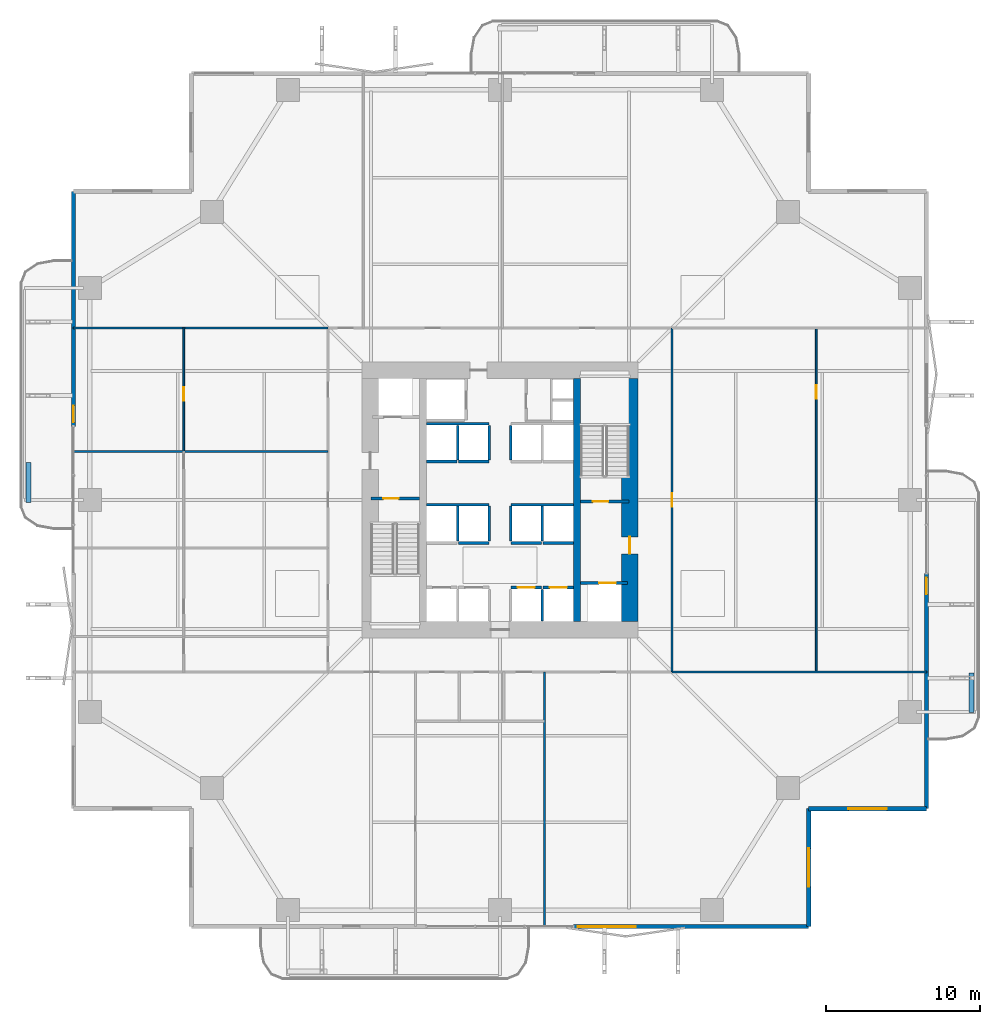
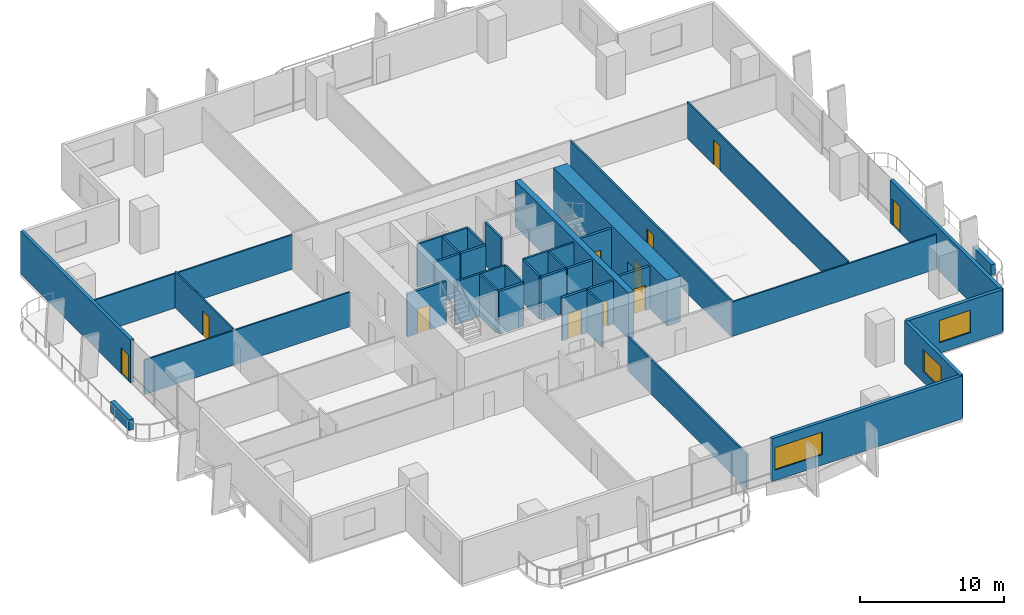
# One storey, part 18 of 23: 37 walls, 11 doors, 3 windows, 14 openings.
"""IFC4 building model written with IfcOpenShell, lengths in metres."""

from ifc_helpers import new_model, si_unit, direction, frame, frame_2d, origin, place, context, subcontext, project, spatial, rectangle, extrude, material, layer, layer_set, type_object, element, fill, save


model = new_model("IFC4")

# Units and contexts
model_context = context("Model", 3, precision=1e-05, world=origin(), true_north=direction((0.0, 1.0)))
body_context = subcontext(model_context, "Body", "Model", "MODEL_VIEW")
ifc_project = project(units=[si_unit("LENGTHUNIT", "METRE"), si_unit("AREAUNIT", "SQUARE_METRE"), si_unit("VOLUMEUNIT", "CUBIC_METRE"), si_unit("PLANEANGLEUNIT", "RADIAN"), si_unit("MASSUNIT", "GRAM", prefix="KILO")], contexts=[model_context])

# Site, building, storey
site_placement = place(None, origin())
site = spatial("IfcSite", under=ifc_project, at=site_placement, CompositionType="ELEMENT")
building_placement = place(site_placement, origin())
building = spatial("IfcBuilding", under=site, at=building_placement, Name="Belovzor Exchange Tower", CompositionType="ELEMENT")
storey_placement = place(building_placement, frame((0.0, 0.0, 53.39990234375)))
storey = spatial("IfcBuildingStorey", under=building, at=storey_placement, Name="L12", CompositionType="ELEMENT", Elevation=53.39990234375)

# Walls
ifc_material_1 = material(Name="Acoustic Plasterboard on Galvanised Studs", Category="gypsum")
ifc_layer_1 = layer(ifc_material_1, 0.1201171875)
ifc_layer_set_1 = layer_set([ifc_layer_1], Name="Acoustic Plasterboard on Galvanised Studs")
wall_type_1 = type_object("IfcWallType", Name="Acoustic Double-Stud Partition Wall 120", PredefinedType="PARTITIONING", material=ifc_layer_set_1)
for number, where, z_axis, x_axis, name in (
    (1, (40.0, 17.60009765625, 0.0), (0.0, 0.0, 1.0), (1.0, 0.0, 0.0), "W-P120 Partition Wall W-L12-END-SE"),
    (2, (1.030029296875, 40.0, 0.0), (0.0, 0.0, 1.0), (1.0, 0.0, 0.0), "W-P120 Partition Wall W-L12-END-NW"),
    (3, (1.030029296875, 31.9619140625, 0.0), (0.0, 0.0, 1.0), (1.0, 0.0, 0.0), "W-P120 Partition Wall W-L12-WDIV-3"),
):
    element("IfcWall", number, at=place(storey_placement, frame(where, z_axis=z_axis, x_axis=x_axis)), inside=storey, type_object=wall_type_1, Name=name, PredefinedType="PARTITIONING", context=body_context, shape_type="SweptSolid", body=[
        extrude(rectangle(XDim=16.570068359375, YDim=0.1201171875, at=frame_2d((8.28515625, 0.0))), origin(), (0.0, 0.0, 1.0), 2.93505859375),
    ])

# Wall, opening, door
wall_1_placement = place(storey_placement, frame((8.2119140625, 31.9619140625, 0.0), z_axis=(0.0, 0.0, 1.0), x_axis=(0.0, 1.0, 0.0)))
wall_1 = element("IfcWall", 4, at=wall_1_placement, inside=storey, type_object=wall_type_1, Name="W-P120 Partition Wall W-L12-WHDIV-3", PredefinedType="PARTITIONING", context=body_context, shape_type="SweptSolid", body=[
    extrude(rectangle(XDim=8.0380859375, YDim=0.1201171875, at=frame_2d((4.01904296875, 0.0))), origin(), (0.0, 0.0, 1.0), 3.085205078125),
])
opening_1_placement = place(wall_1_placement, frame((3.2880859375, 0.0, 0.0)))
opening_1 = element("IfcOpeningElement", 5, at=opening_1_placement, cuts=wall_1, Name="Opening D-INT-090", PredefinedType="OPENING", context=body_context, shape_type="SweptSolid", body=[
    extrude(rectangle(XDim=0.89990234375, YDim=2.10009765625, at=frame_2d((0.449951171875, 1.050048828125))), frame((0.0, 0.070068359375, 0.0), z_axis=(0.0, -1.0, 0.0), x_axis=(1.0, 0.0, 0.0)), (0.0, 0.0, 1.0), 0.14013671875),
])
ifc_material_2 = material(Name="Veneered Hardwood Acoustic Leaf", Category="wood")
door_type_1 = type_object("IfcDoorType", Name="Trading Suite Acoustic Single Door 900x2100", OperationType="NOTDEFINED", PredefinedType="DOOR", material=ifc_material_2)
door_1_placement = place(opening_1_placement, origin())
door_1 = element("IfcDoor", 6, at=door_1_placement, inside=storey, type_object=door_type_1, Name="D-INT-090 Trading Suite Acoustic Single Door 900x2100", OperationType="SINGLE_SWING_LEFT", OverallHeight=2.10009765625, OverallWidth=0.89990234375, PredefinedType="DOOR", context=body_context, shape_type="SweptSolid", body=[
    extrude(rectangle(XDim=0.89990234375, YDim=2.10009765625, at=frame_2d((0.449951171875, 1.050048828125))), frame((0.0, 0.02490234375, 0.0), z_axis=(0.0, -1.0, 0.0), x_axis=(1.0, 0.0, 0.0)), (0.0, 0.0, 1.0), 0.050048828125),
])
fill(opening_1, door_1)

wall_2_placement = place(storey_placement, frame((49.387939453125, 17.60009765625, 0.0), z_axis=(0.0, 0.0, 1.0), x_axis=(0.0, 1.0, 0.0)))
wall_2 = element("IfcWall", 7, at=wall_2_placement, inside=storey, type_object=wall_type_1, Name="W-P120 Partition Wall W-L12-EHDIV-0", PredefinedType="PARTITIONING", context=body_context, shape_type="SweptSolid", body=[
    extrude(rectangle(XDim=22.39990234375, YDim=0.1201171875, at=frame_2d((11.199951171875, 0.0))), origin(), (0.0, 0.0, 1.0), 3.085205078125),
])
opening_2_placement = place(wall_2_placement, frame((17.782958984375, 0.0, 0.0)))
opening_2 = element("IfcOpeningElement", 8, at=opening_2_placement, cuts=wall_2, Name="Opening D-INT-090", PredefinedType="OPENING", context=body_context, shape_type="SweptSolid", body=[
    extrude(rectangle(XDim=0.89990234375, YDim=2.10009765625, at=frame_2d((0.449951171875, 1.050048828125))), frame((0.0, 0.070068359375, 0.0), z_axis=(0.0, -1.0, 0.0), x_axis=(1.0, 0.0, 0.0)), (0.0, 0.0, 1.0), 0.14013671875),
])
door_2_placement = place(opening_2_placement, origin())
door_2 = element("IfcDoor", 9, at=door_2_placement, inside=storey, type_object=door_type_1, Name="D-INT-090 Trading Suite Acoustic Single Door 900x2100", OperationType="SINGLE_SWING_RIGHT", OverallHeight=2.10009765625, OverallWidth=0.89990234375, PredefinedType="DOOR", context=body_context, shape_type="SweptSolid", body=[
    extrude(rectangle(XDim=0.89990234375, YDim=2.10009765625, at=frame_2d((0.449951171875, 1.050048828125))), frame((0.0, 0.02490234375, 0.0), z_axis=(0.0, -1.0, 0.0), x_axis=(1.0, 0.0, 0.0)), (0.0, 0.0, 1.0), 0.050048828125),
])
fill(opening_2, door_2)

# Wall
ifc_material_3 = material(Name="Fire-Rated Gypsum Block and Mineral Wool", Category="gypsum")
ifc_layer_2 = layer(ifc_material_3, 0.14990234375)
ifc_layer_set_2 = layer_set([ifc_layer_2], Name="Fire-Rated Gypsum Block and Mineral Wool")
wall_type_2 = type_object("IfcWallType", Name="Fire-Rated Gypsum Block Corridor Wall 150", PredefinedType="PARTITIONING", material=ifc_layer_set_2)
wall_3_placement = place(storey_placement, frame((31.699951171875, 1.030029296875, 0.0), z_axis=(0.0, 0.0, 1.0), x_axis=(0.0, 1.0, 0.0)))
element("IfcWall", 10, at=wall_3_placement, inside=storey, type_object=wall_type_2, Name="W-P150 Partition Wall W-L12-WCE", PredefinedType="PARTITIONING", context=body_context, shape_type="SweptSolid", body=[
    extrude(rectangle(XDim=16.570068359375, YDim=0.14990234375, at=frame_2d((8.28515625, 0.0))), origin(), (0.0, 0.0, 1.0), 2.93505859375),
])

# Wall, opening, door
wall_4_placement = place(storey_placement, frame((40.0, 17.60009765625, 0.0), z_axis=(0.0, 0.0, 1.0), x_axis=(0.0, 1.0, 0.0)))
wall_4 = element("IfcWall", 11, at=wall_4_placement, inside=storey, type_object=wall_type_2, Name="W-P150 Partition Wall W-L12-CE", PredefinedType="PARTITIONING", context=body_context, shape_type="SweptSolid", body=[
    extrude(rectangle(XDim=22.39990234375, YDim=0.14990234375, at=frame_2d((11.199951171875, 0.0))), origin(), (0.0, 0.0, 1.0), 3.085205078125),
])
opening_3_placement = place(wall_4_placement, frame((10.75, 0.0, 0.0)))
opening_3 = element("IfcOpeningElement", 12, at=opening_3_placement, cuts=wall_4, Name="Opening D-INT-090", PredefinedType="OPENING", context=body_context, shape_type="SweptSolid", body=[
    extrude(rectangle(XDim=0.89990234375, YDim=2.10009765625, at=frame_2d((0.449951171875, 1.050048828125))), frame((0.0, 0.0849609375, 0.0), z_axis=(0.0, -1.0, 0.0), x_axis=(1.0, 0.0, 0.0)), (0.0, 0.0, 1.0), 0.169921875),
])
door_3_placement = place(opening_3_placement, origin())
door_3 = element("IfcDoor", 13, at=door_3_placement, inside=storey, type_object=door_type_1, Name="D-INT-090 Trading Suite Acoustic Single Door 900x2100", OperationType="SINGLE_SWING_RIGHT", OverallHeight=2.10009765625, OverallWidth=0.89990234375, PredefinedType="DOOR", context=body_context, shape_type="SweptSolid", body=[
    extrude(rectangle(XDim=0.89990234375, YDim=2.10009765625, at=frame_2d((0.449951171875, 1.050048828125))), frame((0.0, 0.02490234375, 0.0), z_axis=(0.0, -1.0, 0.0), x_axis=(1.0, 0.0, 0.0)), (0.0, 0.0, 1.0), 0.050048828125),
])
fill(opening_3, door_3)

# Wall, opening, window
ifc_material_4 = material(Name="Precast concrete C40/50", Category="concrete")
ifc_layer_3 = layer(ifc_material_4, 0.280029296875)
ifc_layer_set_3 = layer_set([ifc_layer_3], Name="Precast concrete C40/50")
wall_type_3 = type_object("IfcWallType", Name="Precast Concrete Notched Corner Frame Wall 280", PredefinedType="SOLIDWALL", material=ifc_layer_set_3)
wall_5_placement = place(storey_placement, frame((56.570068359375, 8.699951171875, 0.0), z_axis=(0.0, 0.0, 1.0), x_axis=(-1.0, 0.0, 0.0)))
wall_5 = element("IfcWall", 14, at=wall_5_placement, inside=storey, type_object=wall_type_3, Name="W-CRN280 Precast Concrete Notched Corner Frame Wall 280 L12", PredefinedType="SOLIDWALL", context=body_context, shape_type="SweptSolid", body=[
    extrude(rectangle(XDim=7.670166015625, YDim=0.280029296875, at=frame_2d((3.8349609375, 0.0))), origin(), (0.0, 0.0, 1.0), 3.650146484375),
])
opening_4_placement = place(wall_5_placement, frame((2.5849609375, 0.0, 0.89990234375)))
opening_4 = element("IfcOpeningElement", 15, at=opening_4_placement, cuts=wall_5, Name="Opening WN-CRN250", PredefinedType="OPENING", context=body_context, shape_type="SweptSolid", body=[
    extrude(rectangle(XDim=2.5, YDim=1.89990234375, at=frame_2d((1.25, 0.949951171875))), frame((0.0, 0.14990234375, 0.0), z_axis=(0.0, -1.0, 0.0), x_axis=(1.0, 0.0, 0.0)), (0.0, 0.0, 1.0), 0.300048828125),
])
ifc_material_5 = material(Name="Thermally Broken Aluminium and Triple Glazing", Category="aluminium")
window_type_1 = type_object("IfcWindowType", Name="Streamline Moderne Corner Wrap Ribbon Window 2500x1900", PartitioningType="SINGLE_PANEL", PredefinedType="WINDOW", material=ifc_material_5)
window_1_placement = place(opening_4_placement, origin())
window_1 = element("IfcWindow", 16, at=window_1_placement, inside=storey, type_object=window_type_1, Name="WN-CRN250 Streamline Moderne Corner Wrap Ribbon Window 2500x1900", OverallHeight=1.89990234375, OverallWidth=2.5, PartitioningType="SINGLE_PANEL", PredefinedType="WINDOW", context=body_context, shape_type="SweptSolid", body=[
    extrude(rectangle(XDim=2.5, YDim=1.89990234375, at=frame_2d((1.25, 0.949951171875))), frame((0.0, 0.030029296875, 0.0), z_axis=(0.0, -1.0, 0.0), x_axis=(1.0, 0.0, 0.0)), (0.0, 0.0, 1.0), 0.06005859375),
])
fill(opening_4, window_1)

wall_6_placement = place(storey_placement, frame((48.89990234375, 8.699951171875, 0.0), z_axis=(0.0, 0.0, 1.0), x_axis=(0.0, -1.0, 0.0)))
wall_6 = element("IfcWall", 17, at=wall_6_placement, inside=storey, type_object=wall_type_3, Name="W-CRN280 Precast Concrete Notched Corner Frame Wall 280 L12", PredefinedType="SOLIDWALL", context=body_context, shape_type="SweptSolid", body=[
    extrude(rectangle(XDim=7.669921875, YDim=0.280029296875, at=frame_2d((3.8349609375, 0.0))), origin(), (0.0, 0.0, 1.0), 3.650146484375),
])
opening_5_placement = place(wall_6_placement, frame((2.5849609375, 0.0, 0.89990234375)))
opening_5 = element("IfcOpeningElement", 18, at=opening_5_placement, cuts=wall_6, Name="Opening WN-CRN250", PredefinedType="OPENING", context=body_context, shape_type="SweptSolid", body=[
    extrude(rectangle(XDim=2.5, YDim=1.89990234375, at=frame_2d((1.25, 0.949951171875))), frame((0.0, 0.14990234375, 0.0), z_axis=(0.0, -1.0, 0.0), x_axis=(1.0, 0.0, 0.0)), (0.0, 0.0, 1.0), 0.300048828125),
])
window_2_placement = place(opening_5_placement, origin())
window_2 = element("IfcWindow", 19, at=window_2_placement, inside=storey, type_object=window_type_1, Name="WN-CRN250 Streamline Moderne Corner Wrap Ribbon Window 2500x1900", OverallHeight=1.89990234375, OverallWidth=2.5, PartitioningType="SINGLE_PANEL", PredefinedType="WINDOW", context=body_context, shape_type="SweptSolid", body=[
    extrude(rectangle(XDim=2.5, YDim=1.89990234375, at=frame_2d((1.25, 0.949951171875))), frame((0.0, 0.030029296875, 0.0), z_axis=(0.0, -1.0, 0.0), x_axis=(1.0, 0.0, 0.0)), (0.0, 0.0, 1.0), 0.06005859375),
])
fill(opening_5, window_2)

ifc_material_6 = material(Name="Precast concrete C40/50", Category="concrete")
ifc_layer_4 = layer(ifc_material_6, 0.260009765625)
ifc_layer_set_4 = layer_set([ifc_layer_4], Name="Precast concrete C40/50")
wall_type_4 = type_object("IfcWallType", Name="Precast Concrete Perimeter Loggia Frame Wall 260", PredefinedType="SOLIDWALL", material=ifc_layer_set_4)
wall_7_placement = place(storey_placement, frame((48.89990234375, 1.030029296875, 0.0), z_axis=(0.0, 0.0, 1.0), x_axis=(-1.0, 0.0, 0.0)))
wall_7 = element("IfcWall", 20, at=wall_7_placement, inside=storey, type_object=wall_type_4, Name="W-EXT260 Precast Concrete Perimeter Loggia Frame Wall 260 L12", PredefinedType="SOLIDWALL", context=body_context, shape_type="SweptSolid", body=[
    extrude(rectangle(XDim=15.2998046875, YDim=0.260009765625, at=frame_2d((7.64990234375, 0.0))), origin(), (0.0, 0.0, 1.0), 3.650146484375),
])
opening_6_placement = place(wall_7_placement, frame((11.25, 0.0, 0.89990234375)))
opening_6 = element("IfcOpeningElement", 21, at=opening_6_placement, cuts=wall_7, Name="Opening WN-RIB380", PredefinedType="OPENING", context=body_context, shape_type="SweptSolid", body=[
    extrude(rectangle(XDim=3.800048828125, YDim=1.89990234375, at=frame_2d((1.89990234375, 0.949951171875))), frame((0.0, 0.139892578125, 0.0), z_axis=(0.0, -1.0, 0.0), x_axis=(1.0, 0.0, 0.0)), (0.0, 0.0, 1.0), 0.280029296875),
])
ifc_material_7 = material(Name="Thermally Broken Aluminium and Triple Glazing", Category="aluminium")
window_type_2 = type_object("IfcWindowType", Name="Streamline Moderne Horizontal Ribbon Window 3800x1900", PartitioningType="SINGLE_PANEL", PredefinedType="WINDOW", material=ifc_material_7)
window_3_placement = place(opening_6_placement, origin())
window_3 = element("IfcWindow", 22, at=window_3_placement, inside=storey, type_object=window_type_2, Name="WN-RIB380 Streamline Moderne Horizontal Ribbon Window 3800x1900", OverallHeight=1.89990234375, OverallWidth=3.800048828125, PartitioningType="SINGLE_PANEL", PredefinedType="WINDOW", context=body_context, shape_type="SweptSolid", body=[
    extrude(rectangle(XDim=3.800048828125, YDim=1.89990234375, at=frame_2d((1.89990234375, 0.949951171875))), frame((0.0, 0.030029296875, 0.0), z_axis=(0.0, -1.0, 0.0), x_axis=(1.0, 0.0, 0.0)), (0.0, 0.0, 1.0), 0.06005859375),
])
fill(opening_6, window_3)

# Wall, opening, door
wall_8_placement = place(storey_placement, frame((1.030029296875, 33.60009765625, 0.0), z_axis=(0.0, 0.0, 1.0), x_axis=(0.0, 1.0, 0.0)))
wall_8 = element("IfcWall", 23, at=wall_8_placement, inside=storey, type_object=wall_type_4, Name="W-EXT260 Precast Concrete Perimeter Loggia Frame Wall 260 L12", PredefinedType="SOLIDWALL", context=body_context, shape_type="SweptSolid", body=[
    extrude(rectangle(XDim=15.2998046875, YDim=0.260009765625, at=frame_2d((7.64990234375, 0.0))), origin(), (0.0, 0.0, 1.0), 3.650146484375),
])
opening_7_placement = place(wall_8_placement, frame((0.25, 0.0, 0.0)))
opening_7 = element("IfcOpeningElement", 24, at=opening_7_placement, cuts=wall_8, Name="Opening D-BAL110", PredefinedType="OPENING", context=body_context, shape_type="SweptSolid", body=[
    extrude(rectangle(XDim=1.10009765625, YDim=2.199951171875, at=frame_2d((0.550048828125, 1.10009765625))), frame((0.0, 0.139892578125, 0.0), z_axis=(0.0, -1.0, 0.0), x_axis=(1.0, 0.0, 0.0)), (0.0, 0.0, 1.0), 0.280029296875),
])
ifc_material_8 = material(Name="Thermally Broken Anodised Aluminium and Laminated Glass", Category="aluminium")
door_type_2 = type_object("IfcDoorType", Name="Planted Loggia Terrace Glazed Door 1100x2200", OperationType="SINGLE_SWING_LEFT", PredefinedType="DOOR", material=ifc_material_8)
door_4_placement = place(opening_7_placement, origin())
door_4 = element("IfcDoor", 25, at=door_4_placement, inside=storey, type_object=door_type_2, Name="D-BAL110 Balcony Terrace Door L12 W", OperationType="SINGLE_SWING_RIGHT", OverallHeight=2.199951171875, OverallWidth=1.10009765625, PredefinedType="DOOR", context=body_context, shape_type="SweptSolid", body=[
    extrude(rectangle(XDim=1.10009765625, YDim=2.199951171875, at=frame_2d((0.550048828125, 1.10009765625))), frame((0.0, 0.02490234375, 0.0), z_axis=(0.0, -1.0, 0.0), x_axis=(1.0, 0.0, 0.0)), (0.0, 0.0, 1.0), 0.050048828125),
])
fill(opening_7, door_4)

wall_9_placement = place(storey_placement, frame((56.570068359375, 24.0, 0.0), z_axis=(0.0, 0.0, 1.0), x_axis=(0.0, -1.0, 0.0)))
wall_9 = element("IfcWall", 26, at=wall_9_placement, inside=storey, type_object=wall_type_4, Name="W-EXT260 Precast Concrete Perimeter Loggia Frame Wall 260 L12", PredefinedType="SOLIDWALL", context=body_context, shape_type="SweptSolid", body=[
    extrude(rectangle(XDim=15.300048828125, YDim=0.260009765625, at=frame_2d((7.64990234375, 0.0))), origin(), (0.0, 0.0, 1.0), 3.650146484375),
])
opening_8_placement = place(wall_9_placement, frame((0.25, 0.0, 0.0)))
opening_8 = element("IfcOpeningElement", 27, at=opening_8_placement, cuts=wall_9, Name="Opening D-BAL110", PredefinedType="OPENING", context=body_context, shape_type="SweptSolid", body=[
    extrude(rectangle(XDim=1.10009765625, YDim=2.199951171875, at=frame_2d((0.550048828125, 1.10009765625))), frame((0.0, 0.139892578125, 0.0), z_axis=(0.0, -1.0, 0.0), x_axis=(1.0, 0.0, 0.0)), (0.0, 0.0, 1.0), 0.280029296875),
])
door_5_placement = place(opening_8_placement, origin())
door_5 = element("IfcDoor", 28, at=door_5_placement, inside=storey, type_object=door_type_2, Name="D-BAL110 Balcony Terrace Door L12 E", OperationType="SINGLE_SWING_LEFT", OverallHeight=2.199951171875, OverallWidth=1.10009765625, PredefinedType="DOOR", context=body_context, shape_type="SweptSolid", body=[
    extrude(rectangle(XDim=1.10009765625, YDim=2.199951171875, at=frame_2d((0.550048828125, 1.10009765625))), frame((0.0, 0.02490234375, 0.0), z_axis=(0.0, -1.0, 0.0), x_axis=(1.0, 0.0, 0.0)), (0.0, 0.0, 1.0), 0.050048828125),
])
fill(opening_8, door_5)

# Walls
ifc_material_9 = material(Name="Precast concrete C40/50", Category="concrete")
ifc_layer_5 = layer(ifc_material_9, 0.35009765625)
ifc_layer_set_5 = layer_set([ifc_layer_5], Name="Precast concrete C40/50")
wall_type_5 = type_object("IfcWallType", Name="Precast Concrete Structural Tree Planter Trough 350", PredefinedType="PARAPET", material=ifc_layer_set_5)
for number, where, z_axis, x_axis, name in (
    (29, (59.5, 14.949951171875, 0.0), (0.0, 0.0, 1.0), (0.0, 1.0, 0.0), "PT-350 Precast Concrete Structural Tree Planter Trough 350 L12"),
    (30, (-1.89990234375, 28.64990234375, 0.0), (0.0, 0.0, 1.0), (0.0, 1.0, 0.0), "PT-350 Precast Concrete Structural Tree Planter Trough 350 L12"),
):
    element("IfcWall", number, at=place(storey_placement, frame(where, z_axis=z_axis, x_axis=x_axis)), inside=storey, type_object=wall_type_5, Name=name, PredefinedType="PARAPET", context=body_context, shape_type="SweptSolid", body=[
        extrude(rectangle(XDim=2.60009765625, YDim=0.35009765625, at=frame_2d((1.300048828125, 0.0))), origin(), (0.0, 0.0, 1.0), 0.900146484375),
    ])
ifc_material_10 = material(Name="Concrete C50/60", Category="concrete")
ifc_layer_6 = layer(ifc_material_10, 0.449951171875)
ifc_layer_set_6 = layer_set([ifc_layer_6], Name="Concrete C50/60")
wall_type_6 = type_object("IfcWallType", Name="Reinforced Concrete Core Internal Web Wall 450", PredefinedType="SHEAR", material=ifc_layer_set_6)
wall_10_placement = place(storey_placement, frame((33.824951171875, 20.89990234375, 0.0), z_axis=(0.0, 0.0, 1.0), x_axis=(0.0, 1.0, 0.0)))
element("IfcWall", 31, at=wall_10_placement, inside=storey, type_object=wall_type_6, Name="CW-W045 Core Internal Web Wall L12 ER", PredefinedType="SHEAR", context=body_context, shape_type="SweptSolid", body=[
    extrude(rectangle(XDim=15.800048828125, YDim=0.449951171875, at=frame_2d((7.89990234375, 0.0))), origin(), (0.0, 0.0, 1.0), 3.900146484375),
])
ifc_material_11 = material(Name="Concrete C50/60", Category="concrete")
ifc_layer_7 = layer(ifc_material_11, 0.14990234375)
ifc_layer_set_7 = layer_set([ifc_layer_7], Name="Concrete C50/60")
wall_type_7 = type_object("IfcWallType", Name="Reinforced Concrete Core Riser Shear Wall 150", PredefinedType="SHEAR", material=ifc_layer_set_7)
wall_11_placement = place(storey_placement, frame((31.550048828125, 20.919921875, 0.0), z_axis=(0.0, 0.0, 1.0), x_axis=(0.0, 1.0, 0.0)))
element("IfcWall", 32, at=wall_11_placement, inside=storey, type_object=wall_type_7, Name="W-C150S Core Shaft Wall W-SHD-L12-PLL-4", PredefinedType="SHEAR", context=body_context, shape_type="SweptSolid", body=[
    extrude(rectangle(XDim=2.06005859375, YDim=0.14990234375, at=frame_2d((1.030029296875, 0.0))), origin(), (0.0, 0.0, 1.0), 3.650146484375),
])
for number, where, z_axis, x_axis, name in (
    (33, (24.02001953125, 28.5, 0.0), (0.0, 0.0, 1.0), (1.0, 0.0, 0.0), "W-C150S Core Shaft Wall W-SHB-L12-PLM-NW"),
    (34, (29.5, 28.5, 0.0), (0.0, 0.0, 1.0), (1.0, 0.0, 0.0), "W-C150S Core Shaft Wall W-SHB-L12-PLM-NE"),
):
    element("IfcWall", number, at=place(storey_placement, frame(where, z_axis=z_axis, x_axis=x_axis)), inside=storey, type_object=wall_type_7, Name=name, PredefinedType="SHEAR", context=body_context, shape_type="SweptSolid", body=[
        extrude(rectangle(XDim=4.080078125, YDim=0.14990234375, at=frame_2d((2.0400390625, 0.0))), origin(), (0.0, 0.0, 1.0), 3.650146484375),
    ])
for number, where, z_axis, x_axis, name in (
    (35, (26.050048828125, 26.1201171875, 0.0), (0.0, 0.0, 1.0), (0.0, 1.0, 0.0), "W-C150S Core Shaft Wall W-SHD-L12-PLM-1"),
    (36, (28.10009765625, 26.1201171875, 0.0), (0.0, 0.0, 1.0), (0.0, 1.0, 0.0), "W-C150S Core Shaft Wall W-SHD-L12-PLM-2"),
    (37, (29.5, 26.1201171875, 0.0), (0.0, 0.0, 1.0), (0.0, 1.0, 0.0), "W-C150S Core Shaft Wall W-SHD-L12-PLM-3"),
    (38, (31.550048828125, 26.1201171875, 0.0), (0.0, 0.0, 1.0), (0.0, 1.0, 0.0), "W-C150S Core Shaft Wall W-SHD-L12-PLM-4"),
):
    element("IfcWall", number, at=place(storey_placement, frame(where, z_axis=z_axis, x_axis=x_axis)), inside=storey, type_object=wall_type_7, Name=name, PredefinedType="SHEAR", context=body_context, shape_type="SweptSolid", body=[
        extrude(rectangle(XDim=2.27978515625, YDim=0.14990234375, at=frame_2d((1.139892578125, 0.0))), origin(), (0.0, 0.0, 1.0), 3.650146484375),
    ])
wall_12_placement = place(storey_placement, frame((24.02001953125, 33.760009765625, 0.0), z_axis=(0.0, 0.0, 1.0), x_axis=(1.0, 0.0, 0.0)))
element("IfcWall", 39, at=wall_12_placement, inside=storey, type_object=wall_type_7, Name="W-C150S Core Shaft Wall W-SHB-L12-PLH-NW", PredefinedType="SHEAR", context=body_context, shape_type="SweptSolid", body=[
    extrude(rectangle(XDim=4.080078125, YDim=0.14990234375, at=frame_2d((2.0400390625, 0.0))), origin(), (0.0, 0.0, 1.0), 3.650146484375),
])
for number, where, z_axis, x_axis, name in (
    (40, (26.050048828125, 31.419921875, 0.0), (0.0, 0.0, 1.0), (0.0, 1.0, 0.0), "W-C150S Core Shaft Wall W-SHD-L12-PLH-1"),
    (41, (28.10009765625, 31.419921875, 0.0), (0.0, 0.0, 1.0), (0.0, 1.0, 0.0), "W-C150S Core Shaft Wall W-SHD-L12-PLH-2"),
    (42, (29.5, 31.419921875, 0.0), (0.0, 0.0, 1.0), (0.0, 1.0, 0.0), "W-C150S Core Shaft Wall W-SHD-L12-PLH-3"),
):
    element("IfcWall", number, at=place(storey_placement, frame(where, z_axis=z_axis, x_axis=x_axis)), inside=storey, type_object=wall_type_7, Name=name, PredefinedType="SHEAR", context=body_context, shape_type="SweptSolid", body=[
        extrude(rectangle(XDim=2.239990234375, YDim=0.14990234375, at=frame_2d((1.1201171875, 0.0))), origin(), (0.0, 0.0, 1.0), 3.650146484375),
    ])

# Wall, opening, door
ifc_material_12 = material(Name="Concrete C50/60", Category="concrete")
ifc_layer_8 = layer(ifc_material_12, 0.199951171875)
ifc_layer_set_8 = layer_set([ifc_layer_8], Name="Concrete C50/60")
wall_type_8 = type_object("IfcWallType", Name="Reinforced Concrete Core Shaft Shear Wall 200", PredefinedType="SHEAR", material=ifc_layer_set_8)
wall_13_placement = place(storey_placement, frame((20.39990234375, 28.89990234375, 0.0), z_axis=(0.0, 0.0, 1.0), x_axis=(1.0, 0.0, 0.0)))
wall_13 = element("IfcWall", 43, at=wall_13_placement, inside=storey, type_object=wall_type_8, Name="W-C200S Core Shaft Wall W-CORE-L12-FFLW1", PredefinedType="SHEAR", context=body_context, shape_type="SweptSolid", body=[
    extrude(rectangle(XDim=3.150146484375, YDim=0.199951171875, at=frame_2d((1.5751953125, 0.0))), origin(), (0.0, 0.0, 1.0), 3.650146484375),
])
opening_9_placement = place(wall_13_placement, frame((0.800048828125, 0.0, 0.0)))
opening_9 = element("IfcOpeningElement", 44, at=opening_9_placement, cuts=wall_13, Name="Opening D-FD90-100", PredefinedType="OPENING", context=body_context, shape_type="SweptSolid", body=[
    extrude(rectangle(XDim=1.0, YDim=2.10009765625, at=frame_2d((0.5, 1.050048828125))), frame((0.0, 0.10986328125, 0.0), z_axis=(0.0, -1.0, 0.0), x_axis=(1.0, 0.0, 0.0)), (0.0, 0.0, 1.0), 0.219970703125),
])
ifc_material_13 = material(Name="Fire-Rated Galvanised Steel Leaf", Category="steel")
door_type_3 = type_object("IfcDoorType", Name="Protected Stairwell Single Fire Door 1000x2100", OperationType="NOTDEFINED", PredefinedType="DOOR", material=ifc_material_13)
door_6_placement = place(opening_9_placement, origin())
door_6 = element("IfcDoor", 45, at=door_6_placement, inside=storey, type_object=door_type_3, Name="D-FD90-100 Protected Stairwell Single Fire Door 1000x2100", OperationType="SINGLE_SWING_RIGHT", OverallHeight=2.10009765625, OverallWidth=1.0, PredefinedType="DOOR", context=body_context, shape_type="SweptSolid", body=[
    extrude(rectangle(XDim=1.0, YDim=2.10009765625, at=frame_2d((0.5, 1.050048828125))), frame((0.0, 0.02490234375, 0.0), z_axis=(0.0, -1.0, 0.0), x_axis=(1.0, 0.0, 0.0)), (0.0, 0.0, 1.0), 0.050048828125),
])
fill(opening_9, door_6)

wall_14_placement = place(storey_placement, frame((34.050048828125, 28.699951171875, 0.0), z_axis=(0.0, 0.0, 1.0), x_axis=(1.0, 0.0, 0.0)))
wall_14 = element("IfcWall", 46, at=wall_14_placement, inside=storey, type_object=wall_type_8, Name="W-C200S Core Shaft Wall W-CORE-L12-FFLE2", PredefinedType="SHEAR", context=body_context, shape_type="SweptSolid", body=[
    extrude(rectangle(XDim=3.14990234375, YDim=0.199951171875, at=frame_2d((1.574951171875, 0.0))), origin(), (0.0, 0.0, 1.0), 3.650146484375),
])
opening_10_placement = place(wall_14_placement, frame((0.800048828125, 0.0, 0.0)))
opening_10 = element("IfcOpeningElement", 47, at=opening_10_placement, cuts=wall_14, Name="Opening D-FD90-100", PredefinedType="OPENING", context=body_context, shape_type="SweptSolid", body=[
    extrude(rectangle(XDim=1.0, YDim=2.10009765625, at=frame_2d((0.5, 1.050048828125))), frame((0.0, 0.10986328125, 0.0), z_axis=(0.0, -1.0, 0.0), x_axis=(1.0, 0.0, 0.0)), (0.0, 0.0, 1.0), 0.219970703125),
])
door_7_placement = place(opening_10_placement, origin())
door_7 = element("IfcDoor", 48, at=door_7_placement, inside=storey, type_object=door_type_3, Name="D-FD90-100 Protected Stairwell Single Fire Door 1000x2100", OperationType="SINGLE_SWING_LEFT", OverallHeight=2.10009765625, OverallWidth=1.0, PredefinedType="DOOR", context=body_context, shape_type="SweptSolid", body=[
    extrude(rectangle(XDim=1.0, YDim=2.10009765625, at=frame_2d((0.5, 1.050048828125))), frame((0.0, 0.02490234375, 0.0), z_axis=(0.0, -1.0, 0.0), x_axis=(1.0, 0.0, 0.0)), (0.0, 0.0, 1.0), 0.050048828125),
])
fill(opening_10, door_7)

wall_15_placement = place(storey_placement, frame((34.050048828125, 23.39990234375, 0.0), z_axis=(0.0, 0.0, 1.0), x_axis=(1.0, 0.0, 0.0)))
wall_15 = element("IfcWall", 49, at=wall_15_placement, inside=storey, type_object=wall_type_8, Name="W-C200S Core Shaft Wall W-SH-L12-FFL-02", PredefinedType="SHEAR", context=body_context, shape_type="SweptSolid", body=[
    extrude(rectangle(XDim=3.050048828125, YDim=0.199951171875, at=frame_2d((1.52490234375, 0.0))), origin(), (0.0, 0.0, 1.0), 3.650146484375),
])
opening_11_placement = place(wall_15_placement, frame((1.199951171875, 0.0, 0.0)))
opening_11 = element("IfcOpeningElement", 50, at=opening_11_placement, cuts=wall_15, Name="Opening LD-110", PredefinedType="OPENING", context=body_context, shape_type="SweptSolid", body=[
    extrude(rectangle(XDim=1.10009765625, YDim=2.14990234375, at=frame_2d((0.550048828125, 1.074951171875))), frame((0.0, 0.10986328125, 0.0), z_axis=(0.0, -1.0, 0.0), x_axis=(1.0, 0.0, 0.0)), (0.0, 0.0, 1.0), 0.219970703125),
])
ifc_material_14 = material(Name="Stainless Steel Grade 304", Category="steel")
door_type_4 = type_object("IfcDoorType", Name="Automated Stainless Steel Lift Landing Door 1100x2150", OperationType="SLIDING_TO_RIGHT", PredefinedType="DOOR", material=ifc_material_14)
door_8_placement = place(opening_11_placement, origin())
door_8 = element("IfcDoor", 51, at=door_8_placement, inside=storey, type_object=door_type_4, Name="LD-110 Automated Stainless Steel Lift Landing Door 1100x2150", OperationType="SLIDING_TO_RIGHT", OverallHeight=2.14990234375, OverallWidth=1.10009765625, PredefinedType="DOOR", context=body_context, shape_type="SweptSolid", body=[
    extrude(rectangle(XDim=1.10009765625, YDim=2.14990234375, at=frame_2d((0.550048828125, 1.074951171875))), frame((0.0, 0.02490234375, 0.0), z_axis=(0.0, -1.0, 0.0), x_axis=(1.0, 0.0, 0.0)), (0.0, 0.0, 1.0), 0.050048828125),
])
fill(opening_11, door_8)

wall_16_placement = place(storey_placement, frame((29.5, 23.10009765625, 0.0), z_axis=(0.0, 0.0, 1.0), x_axis=(1.0, 0.0, 0.0)))
wall_16 = element("IfcWall", 52, at=wall_16_placement, inside=storey, type_object=wall_type_8, Name="W-C200S Core Shaft Wall W-SH-L12-PL-L3", PredefinedType="SHEAR", context=body_context, shape_type="SweptSolid", body=[
    extrude(rectangle(XDim=2.0, YDim=0.199951171875, at=frame_2d((1.0, 0.0))), origin(), (0.0, 0.0, 1.0), 3.650146484375),
])
opening_12_placement = place(wall_16_placement, frame((0.449951171875, 0.0, 0.0)))
opening_12 = element("IfcOpeningElement", 53, at=opening_12_placement, cuts=wall_16, Name="Opening LD-110", PredefinedType="OPENING", context=body_context, shape_type="SweptSolid", body=[
    extrude(rectangle(XDim=1.10009765625, YDim=2.14990234375, at=frame_2d((0.550048828125, 1.074951171875))), frame((0.0, 0.10986328125, 0.0), z_axis=(0.0, -1.0, 0.0), x_axis=(1.0, 0.0, 0.0)), (0.0, 0.0, 1.0), 0.219970703125),
])
door_9_placement = place(opening_12_placement, origin())
door_9 = element("IfcDoor", 54, at=door_9_placement, inside=storey, type_object=door_type_4, Name="LD-110 Automated Stainless Steel Lift Landing Door 1100x2150", OperationType="SLIDING_TO_RIGHT", OverallHeight=2.14990234375, OverallWidth=1.10009765625, PredefinedType="DOOR", context=body_context, shape_type="SweptSolid", body=[
    extrude(rectangle(XDim=1.10009765625, YDim=2.14990234375, at=frame_2d((0.550048828125, 1.074951171875))), frame((0.0, 0.02490234375, 0.0), z_axis=(0.0, -1.0, 0.0), x_axis=(1.0, 0.0, 0.0)), (0.0, 0.0, 1.0), 0.050048828125),
])
fill(opening_12, door_9)

wall_17_placement = place(storey_placement, frame((31.60009765625, 23.10009765625, 0.0), z_axis=(0.0, 0.0, 1.0), x_axis=(1.0, 0.0, 0.0)))
wall_17 = element("IfcWall", 55, at=wall_17_placement, inside=storey, type_object=wall_type_8, Name="W-C200S Core Shaft Wall W-SH-L12-PL-L4", PredefinedType="SHEAR", context=body_context, shape_type="SweptSolid", body=[
    extrude(rectangle(XDim=2.0, YDim=0.199951171875, at=frame_2d((1.0, 0.0))), origin(), (0.0, 0.0, 1.0), 3.650146484375),
])
opening_13_placement = place(wall_17_placement, frame((0.449951171875, 0.0, 0.0)))
opening_13 = element("IfcOpeningElement", 56, at=opening_13_placement, cuts=wall_17, Name="Opening LD-110", PredefinedType="OPENING", context=body_context, shape_type="SweptSolid", body=[
    extrude(rectangle(XDim=1.10009765625, YDim=2.14990234375, at=frame_2d((0.550048828125, 1.074951171875))), frame((0.0, 0.10986328125, 0.0), z_axis=(0.0, -1.0, 0.0), x_axis=(1.0, 0.0, 0.0)), (0.0, 0.0, 1.0), 0.219970703125),
])
door_10_placement = place(opening_13_placement, origin())
door_10 = element("IfcDoor", 57, at=door_10_placement, inside=storey, type_object=door_type_4, Name="LD-110 Automated Stainless Steel Lift Landing Door 1100x2150", OperationType="SLIDING_TO_RIGHT", OverallHeight=2.14990234375, OverallWidth=1.10009765625, PredefinedType="DOOR", context=body_context, shape_type="SweptSolid", body=[
    extrude(rectangle(XDim=1.10009765625, YDim=2.14990234375, at=frame_2d((0.550048828125, 1.074951171875))), frame((0.0, 0.02490234375, 0.0), z_axis=(0.0, -1.0, 0.0), x_axis=(1.0, 0.0, 0.0)), (0.0, 0.0, 1.0), 0.050048828125),
])
fill(opening_13, door_10)

# Walls
for number, where, z_axis, x_axis, name in (
    (58, (26.10009765625, 26.0, 0.0), (0.0, 0.0, 1.0), (1.0, 0.0, 0.0), "W-C200S Core Shaft Wall W-SH-L12-PL-M2"),
    (59, (29.5, 26.0, 0.0), (0.0, 0.0, 1.0), (1.0, 0.0, 0.0), "W-C200S Core Shaft Wall W-SH-L12-PL-M3"),
    (60, (31.60009765625, 26.0, 0.0), (0.0, 0.0, 1.0), (1.0, 0.0, 0.0), "W-C200S Core Shaft Wall W-SH-L12-PL-M4"),
    (61, (24.0, 31.300048828125, 0.0), (0.0, 0.0, 1.0), (1.0, 0.0, 0.0), "W-C200S Core Shaft Wall W-SH-L12-PL-H1"),
    (62, (26.10009765625, 31.300048828125, 0.0), (0.0, 0.0, 1.0), (1.0, 0.0, 0.0), "W-C200S Core Shaft Wall W-SH-L12-PL-H2"),
):
    element("IfcWall", number, at=place(storey_placement, frame(where, z_axis=z_axis, x_axis=x_axis)), inside=storey, type_object=wall_type_8, Name=name, PredefinedType="SHEAR", context=body_context, shape_type="SweptSolid", body=[
        extrude(rectangle(XDim=2.0, YDim=0.199951171875, at=frame_2d((1.0, 0.0))), origin(), (0.0, 0.0, 1.0), 3.650146484375),
    ])

# Wall, opening, door
ifc_material_15 = material(Name="Concrete C60/75", Category="concrete")
ifc_layer_9 = layer(ifc_material_15, 1.10009765625)
ifc_layer_set_9 = layer_set([ifc_layer_9], Name="Concrete C60/75")
wall_type_9 = type_object("IfcWallType", Name="Reinforced Concrete Core Shear Wall 1100", PredefinedType="SHEAR", material=ifc_layer_set_9)
wall_18_placement = place(storey_placement, frame((37.25, 20.89990234375, 0.0), z_axis=(0.0, 0.0, 1.0), x_axis=(0.0, 1.0, 0.0)))
wall_18 = element("IfcWall", 63, at=wall_18_placement, inside=storey, type_object=wall_type_9, Name="CW-S110 Core Shear Wall L12 E", PredefinedType="SHEAR", context=body_context, shape_type="SweptSolid", body=[
    extrude(rectangle(XDim=15.800048828125, YDim=1.10009765625, at=frame_2d((7.89990234375, 0.0))), origin(), (0.0, 0.0, 1.0), 3.900146484375),
])
opening_14_placement = place(wall_18_placement, frame((4.39990234375, 0.0, 0.0)))
opening_14 = element("IfcOpeningElement", 64, at=opening_14_placement, cuts=wall_18, Name="Opening D-FD90-110", PredefinedType="OPENING", context=body_context, shape_type="SweptSolid", body=[
    extrude(rectangle(XDim=1.10009765625, YDim=2.14990234375, at=frame_2d((0.550048828125, 1.074951171875))), frame((0.0, 0.56005859375, 0.0), z_axis=(0.0, -1.0, 0.0), x_axis=(1.0, 0.0, 0.0)), (0.0, 0.0, 1.0), 1.1201171875),
])
ifc_material_16 = material(Name="Fire-Rated Galvanised Steel Leaf", Category="steel")
door_type_5 = type_object("IfcDoorType", Name="Protected Escape Vestibule Fire Door 1100x2150", OperationType="NOTDEFINED", PredefinedType="DOOR", material=ifc_material_16)
door_11_placement = place(opening_14_placement, origin())
door_11 = element("IfcDoor", 65, at=door_11_placement, inside=storey, type_object=door_type_5, Name="D-FD90-110 Protected Escape Vestibule Fire Door 1100x2150", OperationType="SINGLE_SWING_RIGHT", OverallHeight=2.14990234375, OverallWidth=1.10009765625, PredefinedType="DOOR", context=body_context, shape_type="SweptSolid", body=[
    extrude(rectangle(XDim=1.10009765625, YDim=2.14990234375, at=frame_2d((0.550048828125, 1.074951171875))), frame((0.0, 0.02490234375, 0.0), z_axis=(0.0, -1.0, 0.0), x_axis=(1.0, 0.0, 0.0)), (0.0, 0.0, 1.0), 0.050048828125),
])
fill(opening_14, door_11)

save(model, "model.ifc")
